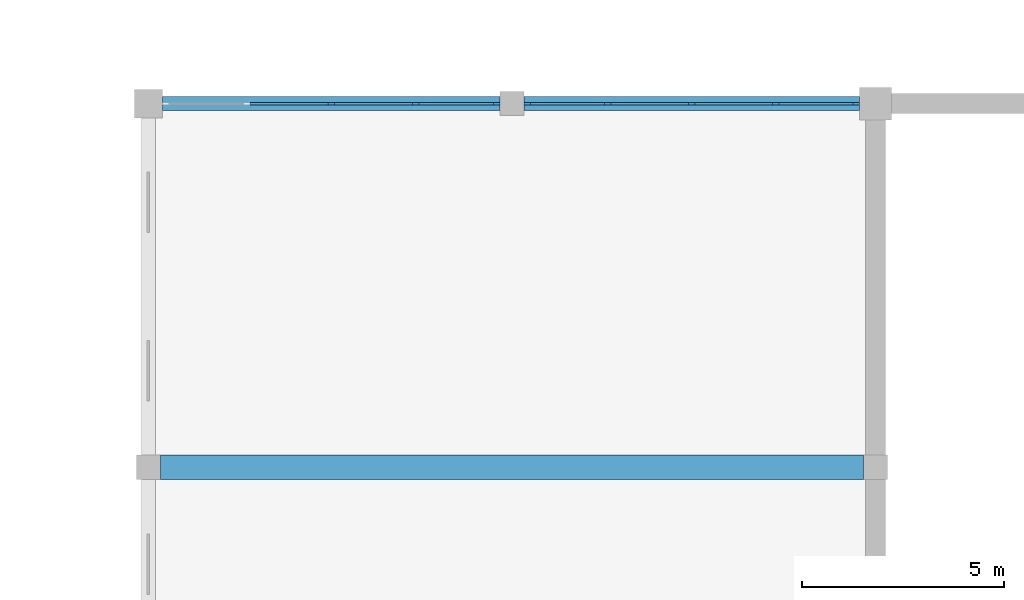
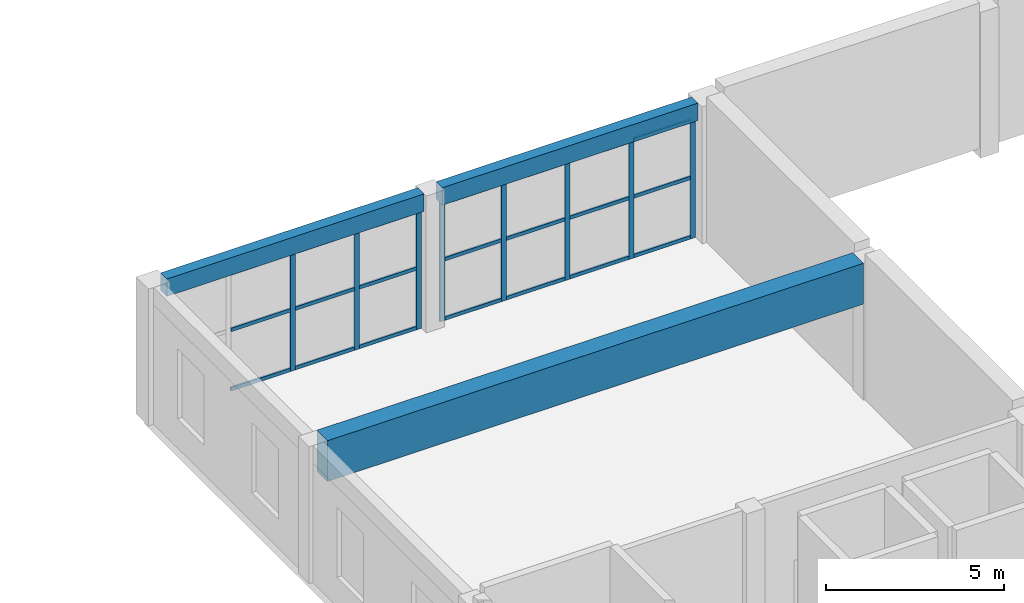
# One storey, part 10 of 30: 29 members, 3 beams, 2 elements without a shape of their own.
"""IFC4 building model written with IfcOpenShell, lengths in metres."""

from ifc_helpers import new_model, si_unit, direction, frame, origin, origin_2d, place, context, subcontext, project, spatial, rectangle, extrude, material, material_profile, profile_set, type_object, element, aggregate, save


model = new_model("IFC4")

# Units and contexts
model_context = context("Model", 3, precision=1e-05, world=origin(), true_north=direction((0.0, 1.0)))
body_context = subcontext(model_context, "Body", "Model", "MODEL_VIEW")
ifc_project = project(units=[si_unit("LENGTHUNIT", "METRE"), si_unit("AREAUNIT", "SQUARE_METRE"), si_unit("VOLUMEUNIT", "CUBIC_METRE"), si_unit("PLANEANGLEUNIT", "RADIAN"), si_unit("MASSUNIT", "GRAM", prefix="KILO")], contexts=[model_context])

# Site, building, storey
site_placement = place(None, origin())
site = spatial("IfcSite", under=ifc_project, at=site_placement, CompositionType="ELEMENT")
building_placement = place(site_placement, origin())
building = spatial("IfcBuilding", under=site, at=building_placement, Name="Firuza Court", CompositionType="ELEMENT")
storey_placement = place(building_placement, frame((0.0, 0.0, 9.0)))
storey = spatial("IfcBuildingStorey", under=building, at=storey_placement, Name="L01", CompositionType="ELEMENT", Elevation=9.0)

# Curtain wall, members
ifc_material_1 = material(Name="Aluminium", Category="aluminium")
curtain_wall_type = type_object("IfcCurtainWallType", Name="CW6 FOYER CURTAIN WALL", PredefinedType="NOTDEFINED", material=ifc_material_1)
curtain_wall_1_placement = place(storey_placement, origin())
curtain_wall_1 = element("IfcCurtainWall", 1, at=curtain_wall_1_placement, inside=storey, type_object=curtain_wall_type, Name="CW6 foyer curtain wall 5", PredefinedType="NOTDEFINED")
ifc_material_2 = material(Name="Aluminium", Category="aluminium")
ifc_material_profile_1 = material_profile(ifc_material_2, rectangle(XDim=0.06005859375, YDim=0.159912109375, at=origin_2d()), Name="MULLION 60X160")
ifc_profile_set_1 = profile_set([ifc_material_profile_1], Name="Aluminium")
member_type_1 = type_object("IfcMemberType", Name="CW6 MULLION 60X160", PredefinedType="MULLION", material=ifc_profile_set_1)
member_1_placement = place(storey_placement, frame((94.52490234375, 45.0, 0.0), z_axis=(0.0, 0.0, 1.0), x_axis=(0.0, 1.0, 0.0)))
member_1 = element("IfcMember", 2, at=member_1_placement, type_object=member_type_1, Name="CW6 mullion 3", PredefinedType="MULLION", context=body_context, shape_type="SweptSolid", body=[
    extrude(rectangle(XDim=0.06005859375, YDim=0.159912109375, at=origin_2d()), origin(), (0.0, 0.0, 1.0), 4.10009765625),
])
member_2_placement = place(storey_placement, frame((96.612548828125, 45.0, 0.0), z_axis=(0.0, 0.0, 1.0), x_axis=(0.0, 1.0, 0.0)))
member_2 = element("IfcMember", 3, at=member_2_placement, type_object=member_type_1, Name="CW6 mullion 4", PredefinedType="MULLION", context=body_context, shape_type="SweptSolid", body=[
    extrude(rectangle(XDim=0.06005859375, YDim=0.159912109375, at=origin_2d()), origin(), (0.0, 0.0, 1.0), 4.10009765625),
])
member_3_placement = place(storey_placement, frame((98.6201171875, 45.0, 0.0), z_axis=(0.0, 0.0, 1.0), x_axis=(0.0, 1.0, 0.0)))
member_3 = element("IfcMember", 4, at=member_3_placement, type_object=member_type_1, Name="CW6 mullion 5", PredefinedType="MULLION", context=body_context, shape_type="SweptSolid", body=[
    extrude(rectangle(XDim=0.06005859375, YDim=0.159912109375, at=origin_2d()), origin(), (0.0, 0.0, 1.0), 4.10009765625),
])

curtain_wall_2_placement = place(storey_placement, origin())
curtain_wall_2 = element("IfcCurtainWall", 5, at=curtain_wall_2_placement, inside=storey, type_object=curtain_wall_type, Name="CW6 foyer curtain wall 6", PredefinedType="NOTDEFINED")
member_4_placement = place(storey_placement, frame((99.3798828125, 45.0, 0.0), z_axis=(0.0, 0.0, 1.0), x_axis=(0.0, 1.0, 0.0)))
member_4 = element("IfcMember", 6, at=member_4_placement, type_object=member_type_1, Name="CW6 mullion 1", PredefinedType="MULLION", context=body_context, shape_type="SweptSolid", body=[
    extrude(rectangle(XDim=0.06005859375, YDim=0.159912109375, at=origin_2d()), origin(), (0.0, 0.0, 1.0), 4.10009765625),
])
member_5_placement = place(storey_placement, frame((101.375, 45.0, 0.0), z_axis=(0.0, 0.0, 1.0), x_axis=(0.0, 1.0, 0.0)))
member_5 = element("IfcMember", 7, at=member_5_placement, type_object=member_type_1, Name="CW6 mullion 2", PredefinedType="MULLION", context=body_context, shape_type="SweptSolid", body=[
    extrude(rectangle(XDim=0.06005859375, YDim=0.159912109375, at=origin_2d()), origin(), (0.0, 0.0, 1.0), 4.10009765625),
])
member_6_placement = place(storey_placement, frame((103.449951171875, 45.0, 0.0), z_axis=(0.0, 0.0, 1.0), x_axis=(0.0, 1.0, 0.0)))
member_6 = element("IfcMember", 8, at=member_6_placement, type_object=member_type_1, Name="CW6 mullion 3", PredefinedType="MULLION", context=body_context, shape_type="SweptSolid", body=[
    extrude(rectangle(XDim=0.06005859375, YDim=0.159912109375, at=origin_2d()), origin(), (0.0, 0.0, 1.0), 4.10009765625),
])
member_7_placement = place(storey_placement, frame((105.52490234375, 45.0, 0.0), z_axis=(0.0, 0.0, 1.0), x_axis=(0.0, 1.0, 0.0)))
member_7 = element("IfcMember", 9, at=member_7_placement, type_object=member_type_1, Name="CW6 mullion 4", PredefinedType="MULLION", context=body_context, shape_type="SweptSolid", body=[
    extrude(rectangle(XDim=0.06005859375, YDim=0.159912109375, at=origin_2d()), origin(), (0.0, 0.0, 1.0), 4.10009765625),
])
member_8_placement = place(storey_placement, frame((107.52001953125, 45.0, 0.0), z_axis=(0.0, 0.0, 1.0), x_axis=(0.0, 1.0, 0.0)))
member_8 = element("IfcMember", 10, at=member_8_placement, type_object=member_type_1, Name="CW6 mullion 5", PredefinedType="MULLION", context=body_context, shape_type="SweptSolid", body=[
    extrude(rectangle(XDim=0.06005859375, YDim=0.159912109375, at=origin_2d()), origin(), (0.0, 0.0, 1.0), 4.10009765625),
])

# Member
ifc_material_3 = material(Name="Aluminium", Category="aluminium")
ifc_material_profile_2 = material_profile(ifc_material_3, rectangle(XDim=0.06005859375, YDim=0.1201171875, at=origin_2d()), Name="TRANSOM 60X120")
ifc_profile_set_2 = profile_set([ifc_material_profile_2], Name="Aluminium")
member_type_2 = type_object("IfcMemberType", Name="CW6 TRANSOM 60X120", PredefinedType="USERDEFINED", material=ifc_profile_set_2)
member_9_placement = place(storey_placement, frame((92.517578125, 45.0, 0.06005859375), z_axis=(1.0, 0.0, 0.0), x_axis=(0.0, 1.0, 0.0)))
member_9 = element("IfcMember", 11, at=member_9_placement, type_object=member_type_2, Name="CW6 transom 2.1", ObjectType="TRANSOM", PredefinedType="USERDEFINED", context=body_context, shape_type="SweptSolid", body=[
    extrude(rectangle(XDim=0.06005859375, YDim=0.1201171875, at=origin_2d()), origin(), (0.0, 0.0, 1.0), 1.927490234375),
])

member_10_placement = place(storey_placement, frame((92.517578125, 45.0, 2.10009765625), z_axis=(1.0, 0.0, 0.0), x_axis=(0.0, 1.0, 0.0)))
member_10 = element("IfcMember", 12, at=member_10_placement, type_object=member_type_2, Name="CW6 transom 2.2", ObjectType="TRANSOM", PredefinedType="USERDEFINED", context=body_context, shape_type="SweptSolid", body=[
    extrude(rectangle(XDim=0.06005859375, YDim=0.1201171875, at=origin_2d()), origin(), (0.0, 0.0, 1.0), 1.927490234375),
])

member_11_placement = place(storey_placement, frame((92.517578125, 45.0, 4.0400390625), z_axis=(1.0, 0.0, 0.0), x_axis=(0.0, 1.0, 0.0)))
member_11 = element("IfcMember", 13, at=member_11_placement, type_object=member_type_2, Name="CW6 transom 2.3", ObjectType="TRANSOM", PredefinedType="USERDEFINED", context=body_context, shape_type="SweptSolid", body=[
    extrude(rectangle(XDim=0.06005859375, YDim=0.1201171875, at=origin_2d()), origin(), (0.0, 0.0, 1.0), 1.927490234375),
])

member_12_placement = place(storey_placement, frame((94.60498046875, 45.0, 0.06005859375), z_axis=(1.0, 0.0, 0.0), x_axis=(0.0, 1.0, 0.0)))
member_12 = element("IfcMember", 14, at=member_12_placement, type_object=member_type_2, Name="CW6 transom 3.1", ObjectType="TRANSOM", PredefinedType="USERDEFINED", context=body_context, shape_type="SweptSolid", body=[
    extrude(rectangle(XDim=0.06005859375, YDim=0.1201171875, at=origin_2d()), origin(), (0.0, 0.0, 1.0), 1.927490234375),
])

member_13_placement = place(storey_placement, frame((94.60498046875, 45.0, 2.10009765625), z_axis=(1.0, 0.0, 0.0), x_axis=(0.0, 1.0, 0.0)))
member_13 = element("IfcMember", 15, at=member_13_placement, type_object=member_type_2, Name="CW6 transom 3.2", ObjectType="TRANSOM", PredefinedType="USERDEFINED", context=body_context, shape_type="SweptSolid", body=[
    extrude(rectangle(XDim=0.06005859375, YDim=0.1201171875, at=origin_2d()), origin(), (0.0, 0.0, 1.0), 1.927490234375),
])

member_14_placement = place(storey_placement, frame((94.60498046875, 45.0, 4.0400390625), z_axis=(1.0, 0.0, 0.0), x_axis=(0.0, 1.0, 0.0)))
member_14 = element("IfcMember", 16, at=member_14_placement, type_object=member_type_2, Name="CW6 transom 3.3", ObjectType="TRANSOM", PredefinedType="USERDEFINED", context=body_context, shape_type="SweptSolid", body=[
    extrude(rectangle(XDim=0.06005859375, YDim=0.1201171875, at=origin_2d()), origin(), (0.0, 0.0, 1.0), 1.927490234375),
])

member_15_placement = place(storey_placement, frame((96.6923828125, 45.0, 0.06005859375), z_axis=(1.0, 0.0, 0.0), x_axis=(0.0, 1.0, 0.0)))
member_15 = element("IfcMember", 17, at=member_15_placement, type_object=member_type_2, Name="CW6 transom 4.1", ObjectType="TRANSOM", PredefinedType="USERDEFINED", context=body_context, shape_type="SweptSolid", body=[
    extrude(rectangle(XDim=0.06005859375, YDim=0.1201171875, at=origin_2d()), origin(), (0.0, 0.0, 1.0), 1.84765625),
])

member_16_placement = place(storey_placement, frame((96.6923828125, 45.0, 2.10009765625), z_axis=(1.0, 0.0, 0.0), x_axis=(0.0, 1.0, 0.0)))
member_16 = element("IfcMember", 18, at=member_16_placement, type_object=member_type_2, Name="CW6 transom 4.2", ObjectType="TRANSOM", PredefinedType="USERDEFINED", context=body_context, shape_type="SweptSolid", body=[
    extrude(rectangle(XDim=0.06005859375, YDim=0.1201171875, at=origin_2d()), origin(), (0.0, 0.0, 1.0), 1.84765625),
])

member_17_placement = place(storey_placement, frame((96.6923828125, 45.0, 4.0400390625), z_axis=(1.0, 0.0, 0.0), x_axis=(0.0, 1.0, 0.0)))
member_17 = element("IfcMember", 19, at=member_17_placement, type_object=member_type_2, Name="CW6 transom 4.3", ObjectType="TRANSOM", PredefinedType="USERDEFINED", context=body_context, shape_type="SweptSolid", body=[
    extrude(rectangle(XDim=0.06005859375, YDim=0.1201171875, at=origin_2d()), origin(), (0.0, 0.0, 1.0), 1.84765625),
])

aggregate(curtain_wall_1, [member_1, member_2, member_3, member_9, member_10, member_11, member_12, member_13, member_14, member_15, member_16, member_17])

member_18_placement = place(storey_placement, frame((99.4599609375, 45.0, 0.06005859375), z_axis=(1.0, 0.0, 0.0), x_axis=(0.0, 1.0, 0.0)))
member_18 = element("IfcMember", 20, at=member_18_placement, type_object=member_type_2, Name="CW6 transom 1.1", ObjectType="TRANSOM", PredefinedType="USERDEFINED", context=body_context, shape_type="SweptSolid", body=[
    extrude(rectangle(XDim=0.06005859375, YDim=0.1201171875, at=origin_2d()), origin(), (0.0, 0.0, 1.0), 1.8349609375),
])

member_19_placement = place(storey_placement, frame((99.4599609375, 45.0, 2.10009765625), z_axis=(1.0, 0.0, 0.0), x_axis=(0.0, 1.0, 0.0)))
member_19 = element("IfcMember", 21, at=member_19_placement, type_object=member_type_2, Name="CW6 transom 1.2", ObjectType="TRANSOM", PredefinedType="USERDEFINED", context=body_context, shape_type="SweptSolid", body=[
    extrude(rectangle(XDim=0.06005859375, YDim=0.1201171875, at=origin_2d()), origin(), (0.0, 0.0, 1.0), 1.8349609375),
])

member_20_placement = place(storey_placement, frame((99.4599609375, 45.0, 4.0400390625), z_axis=(1.0, 0.0, 0.0), x_axis=(0.0, 1.0, 0.0)))
member_20 = element("IfcMember", 22, at=member_20_placement, type_object=member_type_2, Name="CW6 transom 1.3", ObjectType="TRANSOM", PredefinedType="USERDEFINED", context=body_context, shape_type="SweptSolid", body=[
    extrude(rectangle(XDim=0.06005859375, YDim=0.1201171875, at=origin_2d()), origin(), (0.0, 0.0, 1.0), 1.8349609375),
])

member_21_placement = place(storey_placement, frame((101.455078125, 45.0, 0.06005859375), z_axis=(1.0, 0.0, 0.0), x_axis=(0.0, 1.0, 0.0)))
member_21 = element("IfcMember", 23, at=member_21_placement, type_object=member_type_2, Name="CW6 transom 2.1", ObjectType="TRANSOM", PredefinedType="USERDEFINED", context=body_context, shape_type="SweptSolid", body=[
    extrude(rectangle(XDim=0.06005859375, YDim=0.1201171875, at=origin_2d()), origin(), (0.0, 0.0, 1.0), 1.9150390625),
])

member_22_placement = place(storey_placement, frame((101.455078125, 45.0, 2.10009765625), z_axis=(1.0, 0.0, 0.0), x_axis=(0.0, 1.0, 0.0)))
member_22 = element("IfcMember", 24, at=member_22_placement, type_object=member_type_2, Name="CW6 transom 2.2", ObjectType="TRANSOM", PredefinedType="USERDEFINED", context=body_context, shape_type="SweptSolid", body=[
    extrude(rectangle(XDim=0.06005859375, YDim=0.1201171875, at=origin_2d()), origin(), (0.0, 0.0, 1.0), 1.9150390625),
])

member_23_placement = place(storey_placement, frame((101.455078125, 45.0, 4.0400390625), z_axis=(1.0, 0.0, 0.0), x_axis=(0.0, 1.0, 0.0)))
member_23 = element("IfcMember", 25, at=member_23_placement, type_object=member_type_2, Name="CW6 transom 2.3", ObjectType="TRANSOM", PredefinedType="USERDEFINED", context=body_context, shape_type="SweptSolid", body=[
    extrude(rectangle(XDim=0.06005859375, YDim=0.1201171875, at=origin_2d()), origin(), (0.0, 0.0, 1.0), 1.9150390625),
])

member_24_placement = place(storey_placement, frame((103.530029296875, 45.0, 0.06005859375), z_axis=(1.0, 0.0, 0.0), x_axis=(0.0, 1.0, 0.0)))
member_24 = element("IfcMember", 26, at=member_24_placement, type_object=member_type_2, Name="CW6 transom 3.1", ObjectType="TRANSOM", PredefinedType="USERDEFINED", context=body_context, shape_type="SweptSolid", body=[
    extrude(rectangle(XDim=0.06005859375, YDim=0.1201171875, at=origin_2d()), origin(), (0.0, 0.0, 1.0), 1.9150390625),
])

member_25_placement = place(storey_placement, frame((103.530029296875, 45.0, 2.10009765625), z_axis=(1.0, 0.0, 0.0), x_axis=(0.0, 1.0, 0.0)))
member_25 = element("IfcMember", 27, at=member_25_placement, type_object=member_type_2, Name="CW6 transom 3.2", ObjectType="TRANSOM", PredefinedType="USERDEFINED", context=body_context, shape_type="SweptSolid", body=[
    extrude(rectangle(XDim=0.06005859375, YDim=0.1201171875, at=origin_2d()), origin(), (0.0, 0.0, 1.0), 1.9150390625),
])

member_26_placement = place(storey_placement, frame((103.530029296875, 45.0, 4.0400390625), z_axis=(1.0, 0.0, 0.0), x_axis=(0.0, 1.0, 0.0)))
member_26 = element("IfcMember", 28, at=member_26_placement, type_object=member_type_2, Name="CW6 transom 3.3", ObjectType="TRANSOM", PredefinedType="USERDEFINED", context=body_context, shape_type="SweptSolid", body=[
    extrude(rectangle(XDim=0.06005859375, YDim=0.1201171875, at=origin_2d()), origin(), (0.0, 0.0, 1.0), 1.9150390625),
])

member_27_placement = place(storey_placement, frame((105.60498046875, 45.0, 0.06005859375), z_axis=(1.0, 0.0, 0.0), x_axis=(0.0, 1.0, 0.0)))
member_27 = element("IfcMember", 29, at=member_27_placement, type_object=member_type_2, Name="CW6 transom 4.1", ObjectType="TRANSOM", PredefinedType="USERDEFINED", context=body_context, shape_type="SweptSolid", body=[
    extrude(rectangle(XDim=0.06005859375, YDim=0.1201171875, at=origin_2d()), origin(), (0.0, 0.0, 1.0), 1.8349609375),
])

member_28_placement = place(storey_placement, frame((105.60498046875, 45.0, 2.10009765625), z_axis=(1.0, 0.0, 0.0), x_axis=(0.0, 1.0, 0.0)))
member_28 = element("IfcMember", 30, at=member_28_placement, type_object=member_type_2, Name="CW6 transom 4.2", ObjectType="TRANSOM", PredefinedType="USERDEFINED", context=body_context, shape_type="SweptSolid", body=[
    extrude(rectangle(XDim=0.06005859375, YDim=0.1201171875, at=origin_2d()), origin(), (0.0, 0.0, 1.0), 1.8349609375),
])

member_29_placement = place(storey_placement, frame((105.60498046875, 45.0, 4.0400390625), z_axis=(1.0, 0.0, 0.0), x_axis=(0.0, 1.0, 0.0)))
member_29 = element("IfcMember", 31, at=member_29_placement, type_object=member_type_2, Name="CW6 transom 4.3", ObjectType="TRANSOM", PredefinedType="USERDEFINED", context=body_context, shape_type="SweptSolid", body=[
    extrude(rectangle(XDim=0.06005859375, YDim=0.1201171875, at=origin_2d()), origin(), (0.0, 0.0, 1.0), 1.8349609375),
])

aggregate(curtain_wall_2, [member_4, member_5, member_6, member_7, member_8, member_18, member_19, member_20, member_21, member_22, member_23, member_24, member_25, member_26, member_27, member_28, member_29])

# Beams
ifc_material_4 = material(Name="Concrete C40/50", Category="concrete")
ifc_material_profile_3 = material_profile(ifc_material_4, rectangle(XDim=0.60009765625, YDim=1.39990234375, at=origin_2d()), Name="RC 600X1400")
ifc_profile_set_3 = profile_set([ifc_material_profile_3], Name="Concrete C40/50")
beam_type_1 = type_object("IfcBeamType", Name="RC GIRDER 600X1400", PredefinedType="BEAM", material=ifc_profile_set_3)
beam_1_placement = place(storey_placement, frame((90.300537109375, 36.0, 4.0), z_axis=(1.0, 0.0, 0.0), x_axis=(0.0, 1.0, 0.0)))
element("IfcBeam", 32, at=beam_1_placement, inside=storey, type_object=beam_type_1, Name="Girder 36 L01", PredefinedType="BEAM", context=body_context, shape_type="SweptSolid", body=[
    extrude(rectangle(XDim=0.60009765625, YDim=1.39990234375, at=origin_2d()), origin(), (0.0, 0.0, 1.0), 17.39892578125),
])
ifc_material_5 = material(Name="Concrete C40/50", Category="concrete")
ifc_material_profile_4 = material_profile(ifc_material_5, rectangle(XDim=0.35009765625, YDim=0.60009765625, at=origin_2d()), Name="RC 350X600")
ifc_profile_set_4 = profile_set([ifc_material_profile_4], Name="Concrete C40/50")
beam_type_2 = type_object("IfcBeamType", Name="RC SPANDREL BEAM 350X600", PredefinedType="BEAM", material=ifc_profile_set_4)
beam_2_placement = place(storey_placement, frame((90.35009765625, 45.0, 4.39990234375), z_axis=(1.0, 0.0, 0.0), x_axis=(0.0, 1.0, 0.0)))
element("IfcBeam", 33, at=beam_2_placement, inside=storey, type_object=beam_type_2, Name="Edge beam N2.1 L01", PredefinedType="BEAM", context=body_context, shape_type="SweptSolid", body=[
    extrude(rectangle(XDim=0.35009765625, YDim=0.60009765625, at=origin_2d()), origin(), (0.0, 0.0, 1.0), 8.349853515625),
])
beam_3_placement = place(storey_placement, frame((99.300048828125, 45.0, 4.39990234375), z_axis=(1.0, 0.0, 0.0), x_axis=(0.0, 1.0, 0.0)))
element("IfcBeam", 34, at=beam_3_placement, inside=storey, type_object=beam_type_2, Name="Edge beam N4.1 L01", PredefinedType="BEAM", context=body_context, shape_type="SweptSolid", body=[
    extrude(rectangle(XDim=0.35009765625, YDim=0.60009765625, at=origin_2d()), origin(), (0.0, 0.0, 1.0), 8.300048828125),
])

save(model, "model.ifc")
